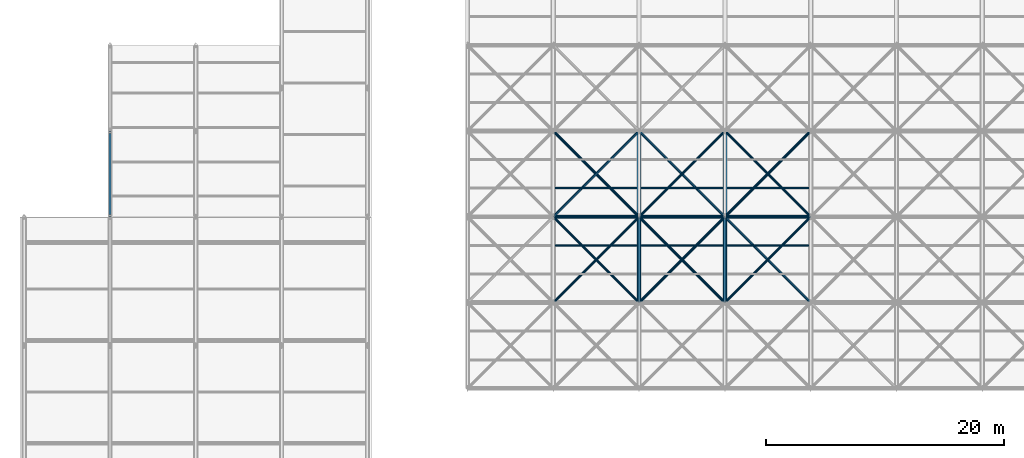
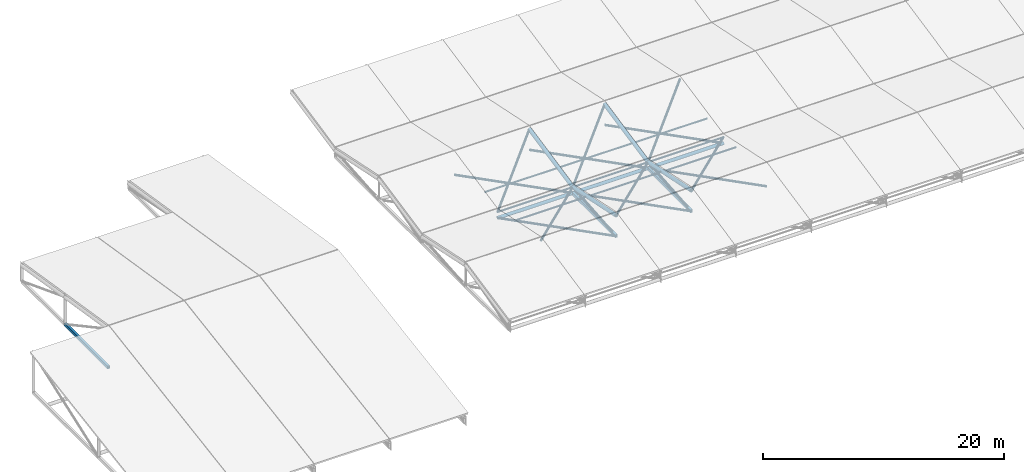
# One storey, part 21 of 72: 26 members, 7 beams.
"""IFC4 building model written with IfcOpenShell, lengths in metres."""

from ifc_helpers import new_model, si_unit, direction, frame, origin, origin_2d, place, context, subcontext, project, spatial, hollow_rectangle, hollow_circle, extrude, material, material_profile, profile_set, type_object, element, save


model = new_model("IFC4")

# Units and contexts
model_context = context("Model", 3, precision=1e-05, world=origin(), true_north=direction((0.0, 1.0)))
body_context = subcontext(model_context, "Body", "Model", "MODEL_VIEW")
ifc_project = project(units=[si_unit("LENGTHUNIT", "METRE"), si_unit("AREAUNIT", "SQUARE_METRE"), si_unit("VOLUMEUNIT", "CUBIC_METRE"), si_unit("PLANEANGLEUNIT", "RADIAN"), si_unit("MASSUNIT", "GRAM", prefix="KILO")], contexts=[model_context])

# Site, building, storey
site_placement = place(None, origin())
site = spatial("IfcSite", under=ifc_project, at=site_placement, CompositionType="ELEMENT")
building_placement = place(site_placement, origin())
building = spatial("IfcBuilding", under=site, at=building_placement, Name="Vaelcorin Mobility Hub", CompositionType="ELEMENT")
storey_placement = place(building_placement, frame((0.0, 0.0, 25.800048828125)))
storey = spatial("IfcBuildingStorey", under=building, at=storey_placement, Name="RF", CompositionType="ELEMENT", Elevation=25.800048828125)

# Members
ifc_material = material(Name="Steel ASTM A500 Grade C", Category="steel")
ifc_material_profile_1 = material_profile(ifc_material, hollow_circle(Radius=0.161865234375, WallThickness=0.0126953125, at=origin_2d()), Name="HSS12.750X0.500")
ifc_profile_set_1 = profile_set([ifc_material_profile_1], Name="Steel ASTM A500 Grade C")
member_type_1 = type_object("IfcMemberType", Name="SF-CHORD-12", PredefinedType="CHORD", material=ifc_profile_set_1)
member_1_placement = place(storey_placement, frame((50.39990234375, 98.39990234375, -2.10009765625), z_axis=(1.0, 0.0, 0.0), x_axis=(0.0, 1.0, 0.0)))
element("IfcMember", 1, at=member_1_placement, inside=storey, type_object=member_type_1, Name="Sports Truss Lower Tie Strut 3-2", PredefinedType="CHORD", context=body_context, shape_type="SweptSolid", body=[
    extrude(hollow_circle(Radius=0.161865234375, WallThickness=0.0126953125, at=origin_2d()), origin(), (0.0, 0.0, 1.0), 7.2001953125),
])
for number, where, z_axis, x_axis, name in (
    (2, (57.60009765625, 98.39990234375, -2.10009765625), (1.0, 0.0, 0.0), (0.0, 1.0, 0.0), "Sports Truss Lower Tie Strut 4-2"),
    (3, (64.800048828125, 98.39990234375, -2.10009765625), (1.0, 0.0, 0.0), (0.0, 1.0, 0.0), "Sports Truss Lower Tie Strut 5-2"),
):
    element("IfcMember", number, at=place(storey_placement, frame(where, z_axis=z_axis, x_axis=x_axis)), inside=storey, type_object=member_type_1, Name=name, PredefinedType="CHORD", context=body_context, shape_type="SweptSolid", body=[
        extrude(hollow_circle(Radius=0.161865234375, WallThickness=0.0126953125, at=origin_2d()), origin(), (0.0, 0.0, 1.0), 7.199951171875),
    ])
ifc_material_profile_2 = material_profile(ifc_material, hollow_circle(Radius=0.109619140625, WallThickness=0.009521484375, at=origin_2d()), Name="HSS8.625X0.375")
ifc_profile_set_2 = profile_set([ifc_material_profile_2], Name="Steel ASTM A500 Grade C")
member_type_2 = type_object("IfcMemberType", Name="SF-DIAG-8", PredefinedType="BRACE", material=ifc_profile_set_2)
member_2_placement = place(storey_placement, frame((50.39990234375, 91.199951171875, 0.0), z_axis=(0.699568856162, 0.699545135531, -0.145739558262), x_axis=(-0.70709479277, 0.7071187694, 0.0)))
element("IfcMember", 4, at=member_2_placement, inside=storey, type_object=member_type_2, Name="Sports Roof Space-Truss Plan Brace 3-2", PredefinedType="BRACE", context=body_context, shape_type="SweptSolid", body=[
    extrude(hollow_circle(Radius=0.109619140625, WallThickness=0.009521484375, at=origin_2d()), origin(), (0.0, 0.0, 1.0), 10.292236328125),
])
member_3_placement = place(storey_placement, frame((57.60009765625, 91.199951171875, -2.10009765625), z_axis=(-0.7071187694, 0.70709479277, 0.0), x_axis=(-0.70709479277, -0.7071187694, 0.0)))
element("IfcMember", 5, at=member_3_placement, inside=storey, type_object=member_type_2, Name="Sports Truss Lower Plan Brace 3-2", PredefinedType="BRACE", context=body_context, shape_type="SweptSolid", body=[
    extrude(hollow_circle(Radius=0.109619140625, WallThickness=0.009521484375, at=origin_2d()), origin(), (0.0, 0.0, 1.0), 10.182373046875),
])
member_4_placement = place(storey_placement, frame((50.39990234375, 98.39990234375, -1.5), z_axis=(0.699557247852, 0.699557247852, 0.14573713993), x_axis=(-0.707106781187, 0.707106781187, 0.0)))
element("IfcMember", 6, at=member_4_placement, inside=storey, type_object=member_type_2, Name="Sports Roof Space-Truss Plan Brace 3-3", PredefinedType="BRACE", context=body_context, shape_type="SweptSolid", body=[
    extrude(hollow_circle(Radius=0.109619140625, WallThickness=0.009521484375, at=origin_2d()), origin(), (0.0, 0.0, 1.0), 10.29248046875),
])
member_5_placement = place(storey_placement, frame((57.60009765625, 98.39990234375, -2.10009765625), z_axis=(-0.707106781187, 0.707106781187, 0.0), x_axis=(-0.707106781187, -0.707106781187, 0.0)))
element("IfcMember", 7, at=member_5_placement, inside=storey, type_object=member_type_2, Name="Sports Truss Lower Plan Brace 3-3", PredefinedType="BRACE", context=body_context, shape_type="SweptSolid", body=[
    extrude(hollow_circle(Radius=0.109619140625, WallThickness=0.009521484375, at=origin_2d()), origin(), (0.0, 0.0, 1.0), 10.1826171875),
])
member_6_placement = place(storey_placement, frame((57.60009765625, 91.199951171875, 0.0), z_axis=(0.699556744026, 0.699556744026, -0.145741976715), x_axis=(-0.707106781187, 0.707106781187, 0.0)))
element("IfcMember", 8, at=member_6_placement, inside=storey, type_object=member_type_2, Name="Sports Roof Space-Truss Plan Brace 4-2", PredefinedType="BRACE", context=body_context, shape_type="SweptSolid", body=[
    extrude(hollow_circle(Radius=0.109619140625, WallThickness=0.009521484375, at=origin_2d()), origin(), (0.0, 0.0, 1.0), 10.292236328125),
])
member_7_placement = place(storey_placement, frame((64.800048828125, 91.199951171875, -2.10009765625), z_axis=(-0.707106781187, 0.707106781187, 0.0), x_axis=(-0.707106781187, -0.707106781187, 0.0)))
element("IfcMember", 9, at=member_7_placement, inside=storey, type_object=member_type_2, Name="Sports Truss Lower Plan Brace 4-2", PredefinedType="BRACE", context=body_context, shape_type="SweptSolid", body=[
    extrude(hollow_circle(Radius=0.109619140625, WallThickness=0.009521484375, at=origin_2d()), origin(), (0.0, 0.0, 1.0), 10.182373046875),
])
member_8_placement = place(storey_placement, frame((57.60009765625, 98.39990234375, -1.5), z_axis=(0.699545135531, 0.699568856162, 0.145739558262), x_axis=(-0.7071187694, 0.70709479277, 0.0)))
element("IfcMember", 10, at=member_8_placement, inside=storey, type_object=member_type_2, Name="Sports Roof Space-Truss Plan Brace 4-3", PredefinedType="BRACE", context=body_context, shape_type="SweptSolid", body=[
    extrude(hollow_circle(Radius=0.109619140625, WallThickness=0.009521484375, at=origin_2d()), origin(), (0.0, 0.0, 1.0), 10.292236328125),
])
member_9_placement = place(storey_placement, frame((64.800048828125, 98.39990234375, -2.10009765625), z_axis=(-0.70709479277, 0.7071187694, 0.0), x_axis=(-0.7071187694, -0.70709479277, 0.0)))
element("IfcMember", 11, at=member_9_placement, inside=storey, type_object=member_type_2, Name="Sports Truss Lower Plan Brace 4-3", PredefinedType="BRACE", context=body_context, shape_type="SweptSolid", body=[
    extrude(hollow_circle(Radius=0.109619140625, WallThickness=0.009521484375, at=origin_2d()), origin(), (0.0, 0.0, 1.0), 10.182373046875),
])
member_10_placement = place(storey_placement, frame((64.800048828125, 91.199951171875, 0.0), z_axis=(0.699556744026, 0.699556744026, -0.145741976715), x_axis=(-0.707106781187, 0.707106781187, 0.0)))
element("IfcMember", 12, at=member_10_placement, inside=storey, type_object=member_type_2, Name="Sports Roof Space-Truss Plan Brace 5-2", PredefinedType="BRACE", context=body_context, shape_type="SweptSolid", body=[
    extrude(hollow_circle(Radius=0.109619140625, WallThickness=0.009521484375, at=origin_2d()), origin(), (0.0, 0.0, 1.0), 10.292236328125),
])
member_11_placement = place(storey_placement, frame((72.0, 91.199951171875, -2.10009765625), z_axis=(-0.707106781187, 0.707106781187, 0.0), x_axis=(-0.707106781187, -0.707106781187, 0.0)))
element("IfcMember", 13, at=member_11_placement, inside=storey, type_object=member_type_2, Name="Sports Truss Lower Plan Brace 5-2", PredefinedType="BRACE", context=body_context, shape_type="SweptSolid", body=[
    extrude(hollow_circle(Radius=0.109619140625, WallThickness=0.009521484375, at=origin_2d()), origin(), (0.0, 0.0, 1.0), 10.182373046875),
])
member_12_placement = place(storey_placement, frame((64.800048828125, 98.39990234375, -1.5), z_axis=(0.699545135531, 0.699568856162, 0.145739558262), x_axis=(-0.7071187694, 0.70709479277, 0.0)))
element("IfcMember", 14, at=member_12_placement, inside=storey, type_object=member_type_2, Name="Sports Roof Space-Truss Plan Brace 5-3", PredefinedType="BRACE", context=body_context, shape_type="SweptSolid", body=[
    extrude(hollow_circle(Radius=0.109619140625, WallThickness=0.009521484375, at=origin_2d()), origin(), (0.0, 0.0, 1.0), 10.292236328125),
])
member_13_placement = place(storey_placement, frame((72.0, 98.39990234375, -2.10009765625), z_axis=(-0.70709479277, 0.7071187694, 0.0), x_axis=(-0.7071187694, -0.70709479277, 0.0)))
element("IfcMember", 15, at=member_13_placement, inside=storey, type_object=member_type_2, Name="Sports Truss Lower Plan Brace 5-3", PredefinedType="BRACE", context=body_context, shape_type="SweptSolid", body=[
    extrude(hollow_circle(Radius=0.109619140625, WallThickness=0.009521484375, at=origin_2d()), origin(), (0.0, 0.0, 1.0), 10.182373046875),
])
ifc_material_profile_3 = material_profile(ifc_material, hollow_circle(Radius=0.084228515625, WallThickness=0.0078125, at=origin_2d()), Name="HSS6.625X0.312")
ifc_profile_set_3 = profile_set([ifc_material_profile_3], Name="Steel ASTM A500 Grade C")
member_type_3 = type_object("IfcMemberType", Name="SF-PURL-6", PredefinedType="PURLIN", material=ifc_profile_set_3)
member_14_placement = place(storey_placement, frame((50.39990234375, 98.39990234375, -1.5), z_axis=(1.0, 0.0, 0.0), x_axis=(0.0, 1.0, 0.0)))
element("IfcMember", 16, at=member_14_placement, inside=storey, type_object=member_type_3, Name="Sports Pavilion Roof Purlin 3-2", PredefinedType="PURLIN", context=body_context, shape_type="SweptSolid", body=[
    extrude(hollow_circle(Radius=0.084228515625, WallThickness=0.0078125, at=origin_2d()), origin(), (0.0, 0.0, 1.0), 7.2001953125),
])
for number, where, z_axis, x_axis, name in (
    (17, (50.56005859375, 96.0, -1.0), (1.0, 0.0, 0.0), (0.0, 1.0, 0.0), "Sports Roof Secondary Purlin 3-2-2"),
    (18, (50.56005859375, 100.800048828125, -1.0), (1.0, 0.0, 0.0), (0.0, 1.0, 0.0), "Sports Roof Secondary Purlin 3-3-1"),
):
    element("IfcMember", number, at=place(storey_placement, frame(where, z_axis=z_axis, x_axis=x_axis)), inside=storey, type_object=member_type_3, Name=name, PredefinedType="PURLIN", context=body_context, shape_type="SweptSolid", body=[
        extrude(hollow_circle(Radius=0.084228515625, WallThickness=0.0078125, at=origin_2d()), origin(), (0.0, 0.0, 1.0), 6.8798828125),
    ])
member_15_placement = place(storey_placement, frame((57.60009765625, 98.39990234375, -1.5), z_axis=(1.0, 0.0, 0.0), x_axis=(0.0, 1.0, 0.0)))
element("IfcMember", 19, at=member_15_placement, inside=storey, type_object=member_type_3, Name="Sports Pavilion Roof Purlin 4-2", PredefinedType="PURLIN", context=body_context, shape_type="SweptSolid", body=[
    extrude(hollow_circle(Radius=0.084228515625, WallThickness=0.0078125, at=origin_2d()), origin(), (0.0, 0.0, 1.0), 7.199951171875),
])
for number, where, z_axis, x_axis, name in (
    (20, (57.760009765625, 96.0, -1.0), (1.0, 0.0, 0.0), (0.0, 1.0, 0.0), "Sports Roof Secondary Purlin 4-2-2"),
    (21, (57.760009765625, 100.800048828125, -1.0), (1.0, 0.0, 0.0), (0.0, 1.0, 0.0), "Sports Roof Secondary Purlin 4-3-1"),
):
    element("IfcMember", number, at=place(storey_placement, frame(where, z_axis=z_axis, x_axis=x_axis)), inside=storey, type_object=member_type_3, Name=name, PredefinedType="PURLIN", context=body_context, shape_type="SweptSolid", body=[
        extrude(hollow_circle(Radius=0.084228515625, WallThickness=0.0078125, at=origin_2d()), origin(), (0.0, 0.0, 1.0), 6.8798828125),
    ])
member_16_placement = place(storey_placement, frame((64.800048828125, 98.39990234375, -1.5), z_axis=(1.0, 0.0, 0.0), x_axis=(0.0, 1.0, 0.0)))
element("IfcMember", 22, at=member_16_placement, inside=storey, type_object=member_type_3, Name="Sports Pavilion Roof Purlin 5-2", PredefinedType="PURLIN", context=body_context, shape_type="SweptSolid", body=[
    extrude(hollow_circle(Radius=0.084228515625, WallThickness=0.0078125, at=origin_2d()), origin(), (0.0, 0.0, 1.0), 7.199951171875),
])
for number, where, z_axis, x_axis, name in (
    (23, (64.9599609375, 96.0, -1.0), (1.0, 0.0, 0.0), (0.0, 1.0, 0.0), "Sports Roof Secondary Purlin 5-2-2"),
    (24, (64.9599609375, 100.800048828125, -1.0), (1.0, 0.0, 0.0), (0.0, 1.0, 0.0), "Sports Roof Secondary Purlin 5-3-1"),
):
    element("IfcMember", number, at=place(storey_placement, frame(where, z_axis=z_axis, x_axis=x_axis)), inside=storey, type_object=member_type_3, Name=name, PredefinedType="PURLIN", context=body_context, shape_type="SweptSolid", body=[
        extrude(hollow_circle(Radius=0.084228515625, WallThickness=0.0078125, at=origin_2d()), origin(), (0.0, 0.0, 1.0), 6.880126953125),
    ])

# Beams
ifc_material_profile_4 = material_profile(ifc_material, hollow_circle(Radius=0.177734375, WallThickness=0.0126953125, at=origin_2d()), Name="HSS14.000X0.500")
ifc_profile_set_4 = profile_set([ifc_material_profile_4], Name="Steel ASTM A500 Grade C")
beam_type_1 = type_object("IfcBeamType", Name="TR-CHORD-14", PredefinedType="BEAM", material=ifc_profile_set_4)
beam_1_placement = place(storey_placement, frame((57.60009765625, 91.199951171875, 0.0), z_axis=(0.0, 0.978980143565, -0.203955579738), x_axis=(-1.0, 0.0, 0.0)))
element("IfcBeam", 25, at=beam_1_placement, inside=storey, type_object=beam_type_1, Name="Sports Pavilion Roof Truss Upper Chord 3-2", PredefinedType="BEAM", context=body_context, shape_type="SweptSolid", body=[
    extrude(hollow_circle(Radius=0.177734375, WallThickness=0.0126953125, at=origin_2d()), origin(), (0.0, 0.0, 1.0), 7.3544921875),
])
beam_2_placement = place(storey_placement, frame((57.60009765625, 98.39990234375, -1.5), z_axis=(0.0, 0.978981524376, 0.203948951776), x_axis=(-1.0, 0.0, 0.0)))
element("IfcBeam", 26, at=beam_2_placement, inside=storey, type_object=beam_type_1, Name="Sports Pavilion Roof Truss Upper Chord 3-3", PredefinedType="BEAM", context=body_context, shape_type="SweptSolid", body=[
    extrude(hollow_circle(Radius=0.177734375, WallThickness=0.0126953125, at=origin_2d()), origin(), (0.0, 0.0, 1.0), 7.354736328125),
])
beam_3_placement = place(storey_placement, frame((64.800048828125, 91.199951171875, 0.0), z_axis=(0.0, 0.978980143565, -0.203955579738), x_axis=(-1.0, 0.0, 0.0)))
element("IfcBeam", 27, at=beam_3_placement, inside=storey, type_object=beam_type_1, Name="Sports Pavilion Roof Truss Upper Chord 4-2", PredefinedType="BEAM", context=body_context, shape_type="SweptSolid", body=[
    extrude(hollow_circle(Radius=0.177734375, WallThickness=0.0126953125, at=origin_2d()), origin(), (0.0, 0.0, 1.0), 7.3544921875),
])
beam_4_placement = place(storey_placement, frame((64.800048828125, 98.39990234375, -1.5), z_axis=(0.0, 0.978981524376, 0.203948951776), x_axis=(-1.0, 0.0, 0.0)))
element("IfcBeam", 28, at=beam_4_placement, inside=storey, type_object=beam_type_1, Name="Sports Pavilion Roof Truss Upper Chord 4-3", PredefinedType="BEAM", context=body_context, shape_type="SweptSolid", body=[
    extrude(hollow_circle(Radius=0.177734375, WallThickness=0.0126953125, at=origin_2d()), origin(), (0.0, 0.0, 1.0), 7.354736328125),
])
ifc_material_profile_5 = material_profile(ifc_material, hollow_rectangle(XDim=0.203125, YDim=0.3046875, WallThickness=0.01171875, at=origin_2d()), Name="HSS12X8X0.500")
ifc_profile_set_5 = profile_set([ifc_material_profile_5], Name="Steel ASTM A500 Grade C")
beam_type_2 = type_object("IfcBeamType", Name="TR-CHORD-RHS12", PredefinedType="BEAM", material=ifc_profile_set_5)
for number, where, z_axis, x_axis, name in (
    (29, (57.60009765625, 91.199951171875, -2.10009765625), (0.0, 1.0, 0.0), (-1.0, 0.0, 0.0), "Sports Pavilion Roof Truss Bottom Chord 3-2"),
    (30, (64.800048828125, 91.199951171875, -2.10009765625), (0.0, 1.0, 0.0), (-1.0, 0.0, 0.0), "Sports Pavilion Roof Truss Bottom Chord 4-2"),
):
    element("IfcBeam", number, at=place(storey_placement, frame(where, z_axis=z_axis, x_axis=x_axis)), inside=storey, type_object=beam_type_2, Name=name, PredefinedType="BEAM", context=body_context, shape_type="SweptSolid", body=[
        extrude(hollow_rectangle(XDim=0.203125, YDim=0.3046875, WallThickness=0.01171875, at=origin_2d()), origin(), (0.0, 0.0, 1.0), 7.199951171875),
    ])
beam_5_placement = place(storey_placement, frame((13.199951171875, 98.39990234375, -4.199951171875), z_axis=(0.0, 1.0, 0.0), x_axis=(-1.0, 0.0, 0.0)))
element("IfcBeam", 31, at=beam_5_placement, inside=storey, type_object=beam_type_2, Name="V2W Drum Roof Truss Lower Chord 2-3", PredefinedType="BEAM", context=body_context, shape_type="SweptSolid", body=[
    extrude(hollow_rectangle(XDim=0.203125, YDim=0.3046875, WallThickness=0.01171875, at=origin_2d()), origin(), (0.0, 0.0, 1.0), 7.2001953125),
])

# Members
ifc_material_profile_6 = material_profile(ifc_material, hollow_circle(Radius=0.109619140625, WallThickness=0.009521484375, at=origin_2d()), Name="HSS8.625X0.375")
ifc_profile_set_6 = profile_set([ifc_material_profile_6], Name="Steel ASTM A500 Grade C")
member_type_4 = type_object("IfcMemberType", Name="TR-WEB-8", PredefinedType="BRACE", material=ifc_profile_set_6)
for number, where, z_axis, x_axis, name in (
    (32, (57.60009765625, 91.199951171875, -2.10009765625), (0.0, 0.996544592923, 0.083059462528), (-1.0, 0.0, 0.0), "Sports Pavilion Roof Truss Diagonal 3-2"),
    (33, (64.800048828125, 91.199951171875, -2.10009765625), (0.0, 0.996544592923, 0.083059462528), (-1.0, 0.0, 0.0), "Sports Pavilion Roof Truss Diagonal 4-2"),
):
    element("IfcMember", number, at=place(storey_placement, frame(where, z_axis=z_axis, x_axis=x_axis)), inside=storey, type_object=member_type_4, Name=name, PredefinedType="BRACE", context=body_context, shape_type="SweptSolid", body=[
        extrude(hollow_circle(Radius=0.109619140625, WallThickness=0.009521484375, at=origin_2d()), origin(), (0.0, 0.0, 1.0), 7.224853515625),
    ])

save(model, "model.ifc")
